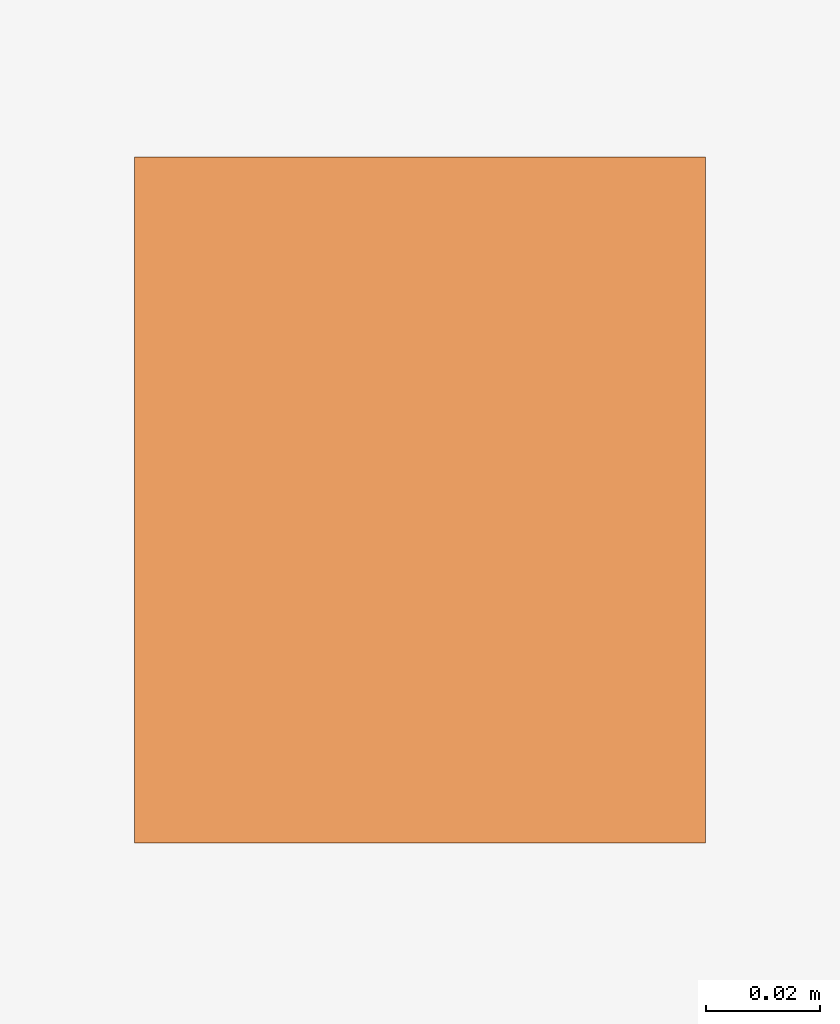
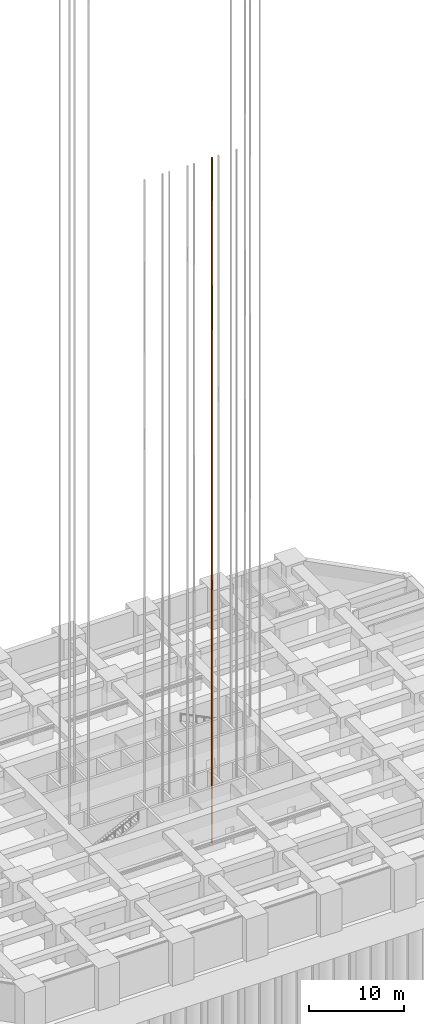
# One storey, part 17 of 24: 1 proxy.
"""IFC4 building model written with IfcOpenShell, lengths in metres."""

from ifc_helpers import new_model, si_unit, direction, frame, origin, origin_2d, place, context, subcontext, project, spatial, rectangle, extrude, element, save


model = new_model("IFC4")

# Units and contexts
model_context = context("Model", 3, precision=1e-05, world=origin(), true_north=direction((0.0, 1.0)))
body_context = subcontext(model_context, "Body", "Model", "MODEL_VIEW")
ifc_project = project(units=[si_unit("LENGTHUNIT", "METRE"), si_unit("AREAUNIT", "SQUARE_METRE"), si_unit("VOLUMEUNIT", "CUBIC_METRE"), si_unit("PLANEANGLEUNIT", "RADIAN"), si_unit("MASSUNIT", "GRAM", prefix="KILO")], contexts=[model_context])

# Site, building, storey
site_placement = place(None, origin())
site = spatial("IfcSite", under=ifc_project, at=site_placement, CompositionType="ELEMENT")
building_placement = place(site_placement, origin())
building = spatial("IfcBuilding", under=site, at=building_placement, Name="Zorevar Civic Tower", CompositionType="ELEMENT")
storey_placement = place(building_placement, frame((0.0, 0.0, -5.0)))
storey = spatial("IfcBuildingStorey", under=building, at=storey_placement, Name="B1", CompositionType="ELEMENT", Elevation=-5.0)

# Proxy
proxy_placement = place(storey_placement, frame((35.60009765625, 23.10009765625, -3.35009765625), z_axis=(0.0, 0.0, 1.0), x_axis=(1.0, 0.0, 0.0)))
element("IfcBuildingElementProxy", 1, at=proxy_placement, inside=storey, Name="Passenger lift LP3 guide rail 2", PredefinedType="NOTDEFINED", context=body_context, shape_type="SweptSolid", body=[
    extrude(rectangle(XDim=0.10009765625, YDim=0.1201171875, at=origin_2d()), origin(), (0.0, 0.0, 1.0), 88.0),
])

save(model, "model.ifc")
